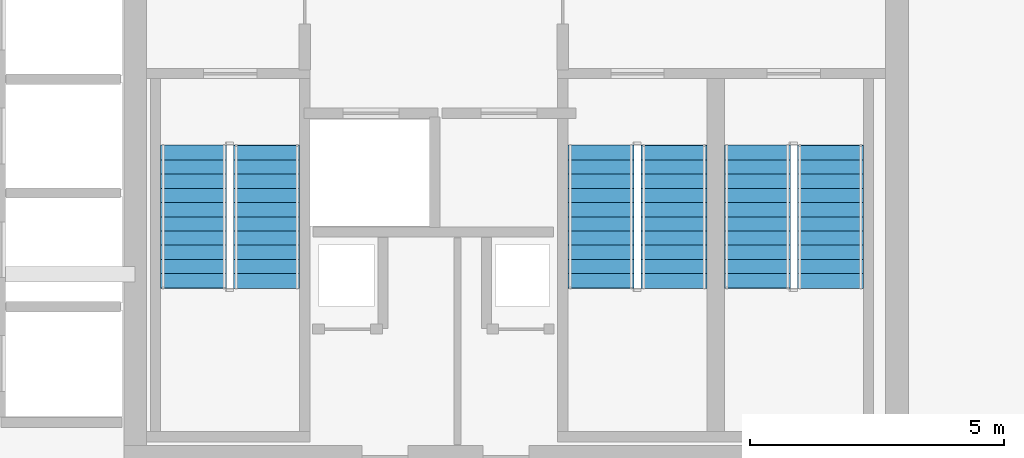
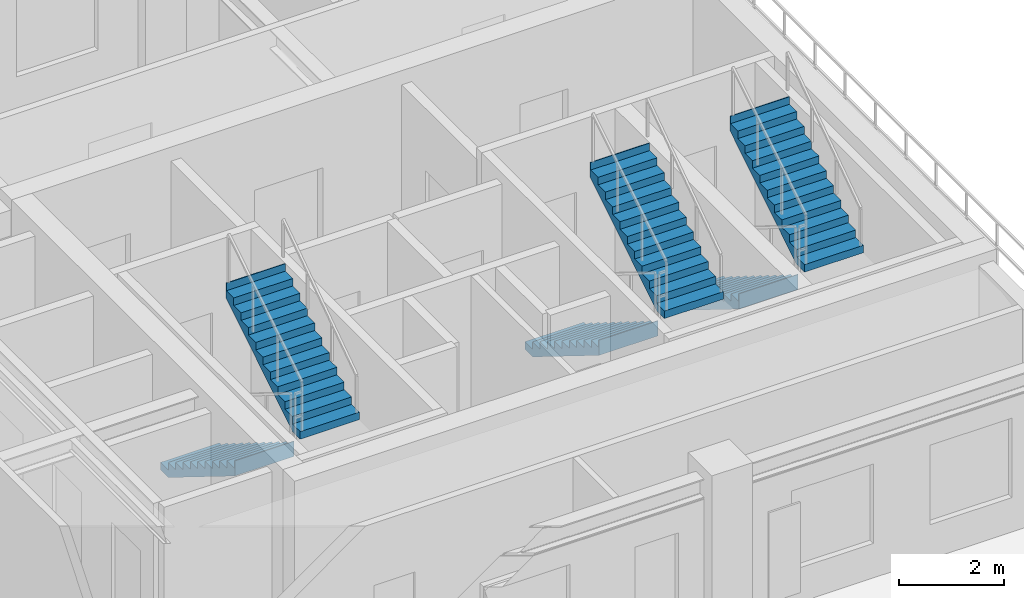
# One storey, part 6 of 8: 6 stair flights, 3 elements without a shape of their own.
"""IFC4 building model written with IfcOpenShell, lengths in metres."""

from ifc_helpers import new_model, si_unit, derived_unit, direction, frame, origin, place, context, subcontext, project, spatial, polyline, outline, extrude, source, transform, mapped, material, layer, layer_set, type_object, element, aggregate, save


model = new_model("IFC4")

# Units and contexts
model_context = context("Model", 3, precision=1e-05, world=origin(), true_north=direction((0.0, 1.0)))
body_context = subcontext(model_context, "Body", "Model", "MODEL_VIEW")
ifc_project = project(units=[si_unit("LENGTHUNIT", "METRE"), si_unit("AREAUNIT", "SQUARE_METRE"), si_unit("VOLUMEUNIT", "CUBIC_METRE"), si_unit("PLANEANGLEUNIT", "RADIAN"), si_unit("MASSUNIT", "GRAM", prefix="KILO"), si_unit("THERMODYNAMICTEMPERATUREUNIT", "KELVIN"), si_unit("POWERUNIT", "WATT"), derived_unit("THERMALTRANSMITTANCEUNIT", [(si_unit("POWERUNIT", "WATT"), 1), (si_unit("AREAUNIT", "SQUARE_METRE"), -1), (si_unit("THERMODYNAMICTEMPERATUREUNIT", "KELVIN"), -1)])], contexts=[model_context])

# Site, building, storey
site_placement = place(None, origin())
site = spatial("IfcSite", under=ifc_project, at=site_placement, CompositionType="ELEMENT")
building_placement = place(site_placement, origin())
building = spatial("IfcBuilding", under=site, at=building_placement, Name="Zahravan Archway Hotel and Residences", CompositionType="ELEMENT")
storey_placement = place(building_placement, frame((0.0, 0.0, 225.0)))
storey = spatial("IfcBuildingStorey", under=building, at=storey_placement, Name="L56", CompositionType="ELEMENT", Elevation=225.0)

# Stair, stair flights
ifc_material = material(Name="Concrete C50/60", Category="concrete")
stair_type = type_object("IfcStairType", Name="STR-CORE-1300", PredefinedType="HALF_TURN_STAIR", material=ifc_material)
stair_1_placement = place(storey_placement, origin())
stair_1 = element("IfcStair", 1, at=stair_1_placement, inside=storey, type_object=stair_type, Name="L56 Core A Exit Stair 1", PredefinedType="HALF_TURN_STAIR")
ifc_layer = layer(ifc_material, 0.199951171875, Name="Concrete C50/60", Category="concrete")
ifc_layer_set = layer_set([ifc_layer], Name="Concrete C50/60")
stair_flight_type = type_object("IfcStairFlightType", Name="SFL-CORE-1300", PredefinedType="STRAIGHT", material=ifc_layer_set)
shared_shape = source(origin(), body_context, "Body", "SweptSolid", [
    extrude(outline(polyline([(-0.01611328125, 0.0), (-0.01611328125, 0.175048828125), (0.280029296875, 0.175048828125), (0.280029296875, 0.35009765625), (0.56005859375, 0.35009765625), (0.56005859375, 0.52490234375), (0.840087890625, 0.52490234375), (0.840087890625, 0.699951171875), (1.1201171875, 0.699951171875), (1.1201171875, 0.875), (1.39990234375, 0.875), (1.39990234375, 1.050048828125), (1.679931640625, 1.050048828125), (1.679931640625, 1.22509765625), (1.9599609375, 1.22509765625), (1.9599609375, 1.39990234375), (2.239990234375, 1.39990234375), (2.239990234375, 1.574951171875), (2.52001953125, 1.574951171875), (2.52001953125, 1.75), (2.800048828125, 1.75), (2.800048828125, 1.925048828125), (2.816162109375, 1.925048828125), (2.816162109375, 1.5732421875), (0.28271484375, 0.0), (-0.01611328125, 0.0)])), frame((0.0, 0.64990234375, 0.0), z_axis=(0.0, -1.0, 0.0), x_axis=(1.0, 0.0, 0.0)), (0.0, 0.0, 1.0), 1.300048828125),
])
stair_flight_1_placement = place(storey_placement, frame((35.949951171875, 9.72998046875, 0.0), z_axis=(0.0, 0.0, 1.0), x_axis=(0.0, -1.0, 0.0)))
stair_flight_1 = element("IfcStairFlight", 2, at=stair_flight_1_placement, type_object=stair_flight_type, Name="ST-A1 flight 1", NumberOfRisers=11, NumberOfTreads=10, PredefinedType="STRAIGHT", RiserHeight=0.175, TreadLength=0.28, context=body_context, shape_type="MappedRepresentation", body=[
    mapped(shared_shape, transform((0.0, 0.0, 0.0), scale=1.0)),
])
stair_flight_2_placement = place(storey_placement, frame((37.389892578125, 6.929931640625, 1.925048828125), z_axis=(0.0, 0.0, 1.0), x_axis=(0.0, 1.0, 0.0)))
stair_flight_2 = element("IfcStairFlight", 3, at=stair_flight_2_placement, type_object=stair_flight_type, Name="ST-A1 flight 2", NumberOfRisers=11, NumberOfTreads=10, PredefinedType="STRAIGHT", RiserHeight=0.175, TreadLength=0.28, context=body_context, shape_type="MappedRepresentation", body=[
    mapped(shared_shape, transform((0.0, 0.0, 0.0), scale=1.0)),
])
aggregate(stair_1, [stair_flight_1, stair_flight_2])

stair_2_placement = place(storey_placement, origin())
stair_2 = element("IfcStair", 4, at=stair_2_placement, inside=storey, type_object=stair_type, Name="L56 Core A Exit Stair 2", PredefinedType="HALF_TURN_STAIR")
stair_flight_3_placement = place(storey_placement, frame((43.969970703125, 9.72998046875, 0.0), z_axis=(0.0, 0.0, 1.0), x_axis=(0.0, -1.0, 0.0)))
stair_flight_3 = element("IfcStairFlight", 5, at=stair_flight_3_placement, type_object=stair_flight_type, Name="ST-A2 flight 1", NumberOfRisers=11, NumberOfTreads=10, PredefinedType="STRAIGHT", RiserHeight=0.175, TreadLength=0.28, context=body_context, shape_type="MappedRepresentation", body=[
    mapped(shared_shape, transform((0.0, 0.0, 0.0), scale=1.0)),
])
stair_flight_4_placement = place(storey_placement, frame((45.409912109375, 6.929931640625, 1.925048828125), z_axis=(0.0, 0.0, 1.0), x_axis=(0.0, 1.0, 0.0)))
stair_flight_4 = element("IfcStairFlight", 6, at=stair_flight_4_placement, type_object=stair_flight_type, Name="ST-A2 flight 2", NumberOfRisers=11, NumberOfTreads=10, PredefinedType="STRAIGHT", RiserHeight=0.175, TreadLength=0.28, context=body_context, shape_type="MappedRepresentation", body=[
    mapped(shared_shape, transform((0.0, 0.0, 0.0), scale=1.0)),
])
aggregate(stair_2, [stair_flight_3, stair_flight_4])

stair_3_placement = place(storey_placement, origin())
stair_3 = element("IfcStair", 7, at=stair_3_placement, inside=storey, type_object=stair_type, Name="L56 Core A Exit Stair 3", PredefinedType="HALF_TURN_STAIR")
stair_flight_5_placement = place(storey_placement, frame((47.050048828125, 9.72998046875, 0.0), z_axis=(0.0, 0.0, 1.0), x_axis=(0.0, -1.0, 0.0)))
stair_flight_5 = element("IfcStairFlight", 8, at=stair_flight_5_placement, type_object=stair_flight_type, Name="ST-A3 flight 1", NumberOfRisers=11, NumberOfTreads=10, PredefinedType="STRAIGHT", RiserHeight=0.175, TreadLength=0.28, context=body_context, shape_type="MappedRepresentation", body=[
    mapped(shared_shape, transform((0.0, 0.0, 0.0), scale=1.0)),
])
stair_flight_6_placement = place(storey_placement, frame((48.489990234375, 6.929931640625, 1.925048828125), z_axis=(0.0, 0.0, 1.0), x_axis=(0.0, 1.0, 0.0)))
stair_flight_6 = element("IfcStairFlight", 9, at=stair_flight_6_placement, type_object=stair_flight_type, Name="ST-A3 flight 2", NumberOfRisers=11, NumberOfTreads=10, PredefinedType="STRAIGHT", RiserHeight=0.175, TreadLength=0.28, context=body_context, shape_type="MappedRepresentation", body=[
    mapped(shared_shape, transform((0.0, 0.0, 0.0), scale=1.0)),
])
aggregate(stair_3, [stair_flight_5, stair_flight_6])

save(model, "model.ifc")
